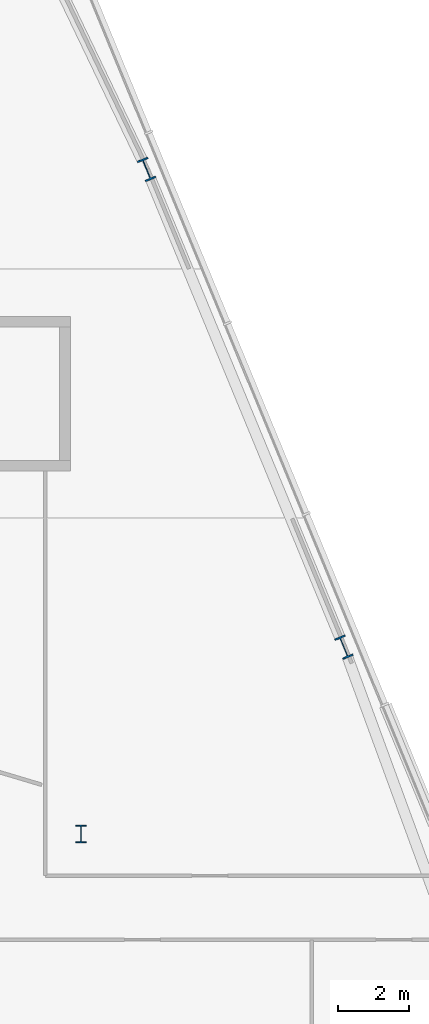
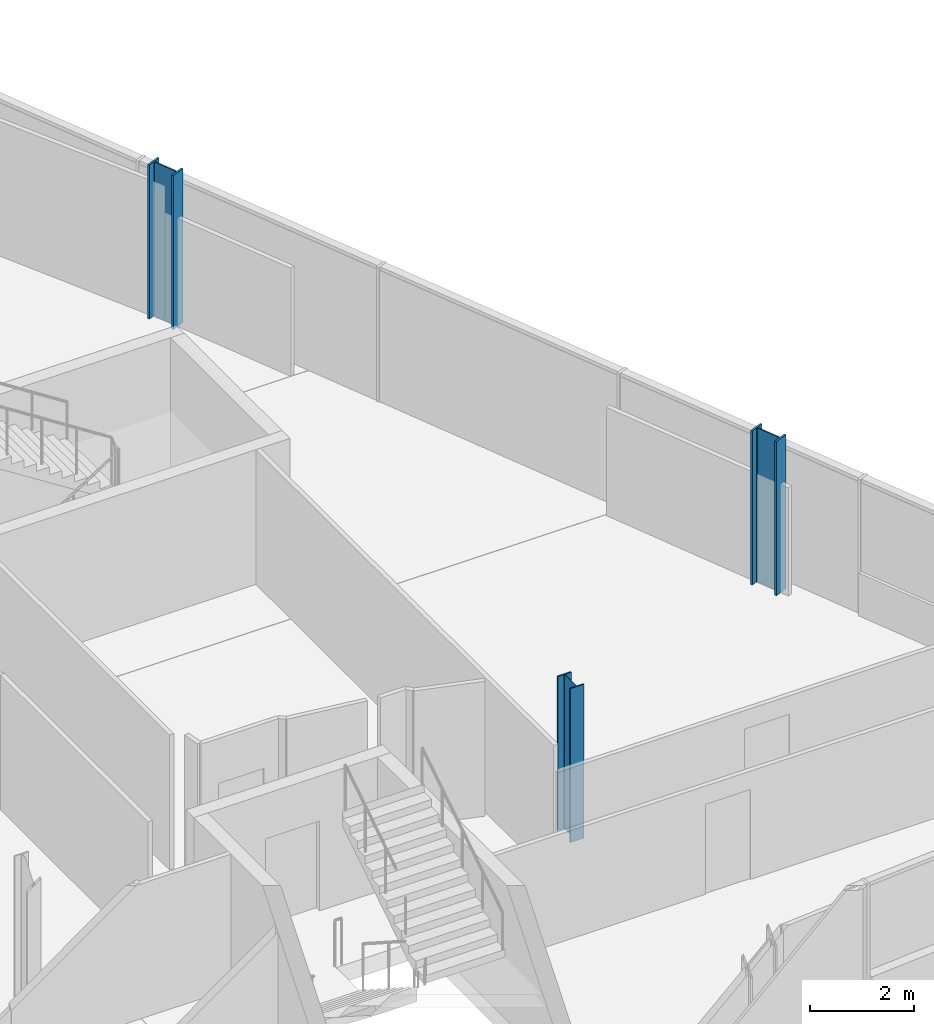
# One storey, part 5 of 24: 3 columns.
"""IFC4 building model written with IfcOpenShell, lengths in metres."""

from ifc_helpers import new_model, si_unit, direction, frame, origin, origin_2d, place, context, subcontext, project, spatial, i_section, extrude, material, material_profile, profile_set, type_object, element, save


model = new_model("IFC4")

# Units and contexts
model_context = context("Model", 3, precision=1e-05, world=origin(), true_north=direction((0.0, 1.0)))
body_context = subcontext(model_context, "Body", "Model", "MODEL_VIEW")
ifc_project = project(units=[si_unit("LENGTHUNIT", "METRE"), si_unit("AREAUNIT", "SQUARE_METRE"), si_unit("VOLUMEUNIT", "CUBIC_METRE"), si_unit("PLANEANGLEUNIT", "RADIAN"), si_unit("MASSUNIT", "GRAM", prefix="KILO")], contexts=[model_context])

# Site, building, storey
site_placement = place(None, origin())
site = spatial("IfcSite", under=ifc_project, at=site_placement, CompositionType="ELEMENT")
building_placement = place(site_placement, origin())
building = spatial("IfcBuilding", under=site, at=building_placement, Name="Wharfspan Tower", CompositionType="ELEMENT")
storey_placement = place(building_placement, frame((0.0, 0.0, 198.699951)))
storey = spatial("IfcBuildingStorey", under=building, at=storey_placement, Name="L49", CompositionType="ELEMENT", Elevation=198.699951)

# Columns
ifc_material = material(Name="Steel S355J2", Category="steel")
ifc_material_profile_1 = material_profile(ifc_material, i_section(OverallWidth=0.300049, OverallDepth=0.5, WebThickness=0.014404, FlangeThickness=0.028076, FilletRadius=0.0271, at=origin_2d()))
ifc_profile_set_1 = profile_set([ifc_material_profile_1], Name="Steel S355J2")
column_type_1 = type_object("IfcColumnType", Name="Column HEB 500", PredefinedType="COLUMN", material=ifc_profile_set_1)
column_placement = place(storey_placement, frame((72.0, 11.5, 0.0), z_axis=(0.0, 0.0, 1.0), x_axis=(1.0, 0.0, 0.0)))
element("IfcColumn", 1, at=column_placement, inside=storey, type_object=column_type_1, Name="Interior column I.1.5 L49", PredefinedType="COLUMN", context=body_context, shape_type="SweptSolid", body=[
    extrude(i_section(OverallWidth=0.300049, OverallDepth=0.5, WebThickness=0.014404, FlangeThickness=0.028076, FilletRadius=0.0271, at=origin_2d()), origin(), (0.0, 0.0, 1.0), 3.600098),
])
ifc_material_profile_2 = material_profile(ifc_material, i_section(OverallWidth=0.304932, OverallDepth=0.620117, WebThickness=0.020996, FlangeThickness=0.040039, FilletRadius=0.0271, at=origin_2d()))
ifc_profile_set_2 = profile_set([ifc_material_profile_2], Name="Steel S355J2")
column_type_2 = type_object("IfcColumnType", Name="Column HEM 600", PredefinedType="COLUMN", material=ifc_profile_set_2)
for number, where, z_axis, x_axis, name in (
    (2, (79.409668, 16.761719, 0.0), (0.0, 0.0, 1.0), (0.924325, 0.381602, 0.0), "Perimeter column PE.1 L49"),
    (3, (73.85376, 30.219238, 0.0), (0.0, 0.0, 1.0), (0.924325, 0.381602, 0.0), "Perimeter column PE.2 L49"),
):
    element("IfcColumn", number, at=place(storey_placement, frame(where, z_axis=z_axis, x_axis=x_axis)), inside=storey, type_object=column_type_2, Name=name, PredefinedType="COLUMN", context=body_context, shape_type="SweptSolid", body=[
        extrude(i_section(OverallWidth=0.304932, OverallDepth=0.620117, WebThickness=0.020996, FlangeThickness=0.040039, FilletRadius=0.0271, at=origin_2d()), origin(), (0.0, 0.0, 1.0), 3.600098),
    ])

save(model, "model.ifc")
